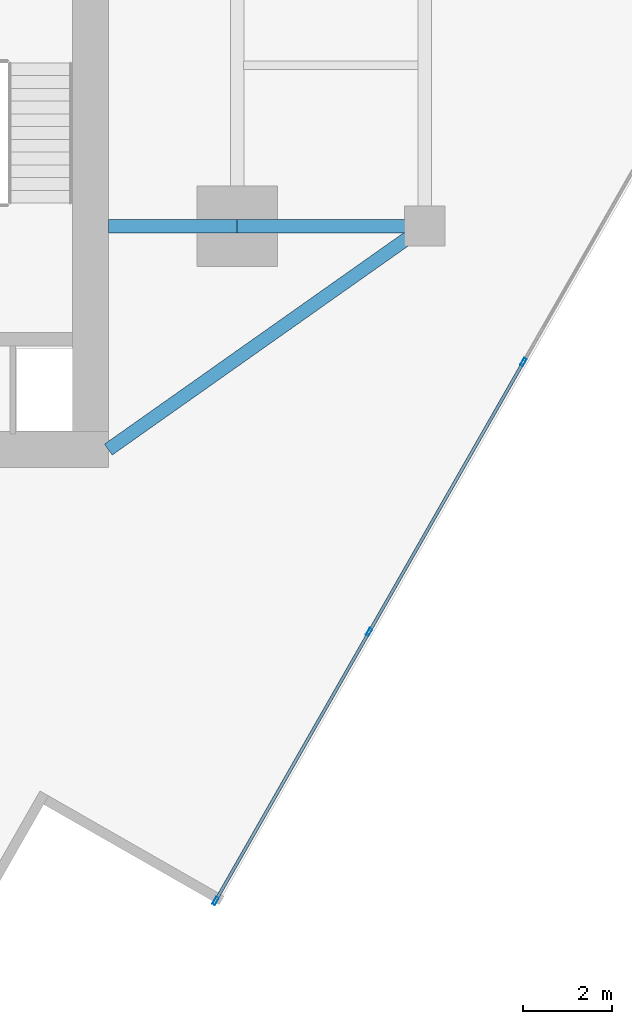
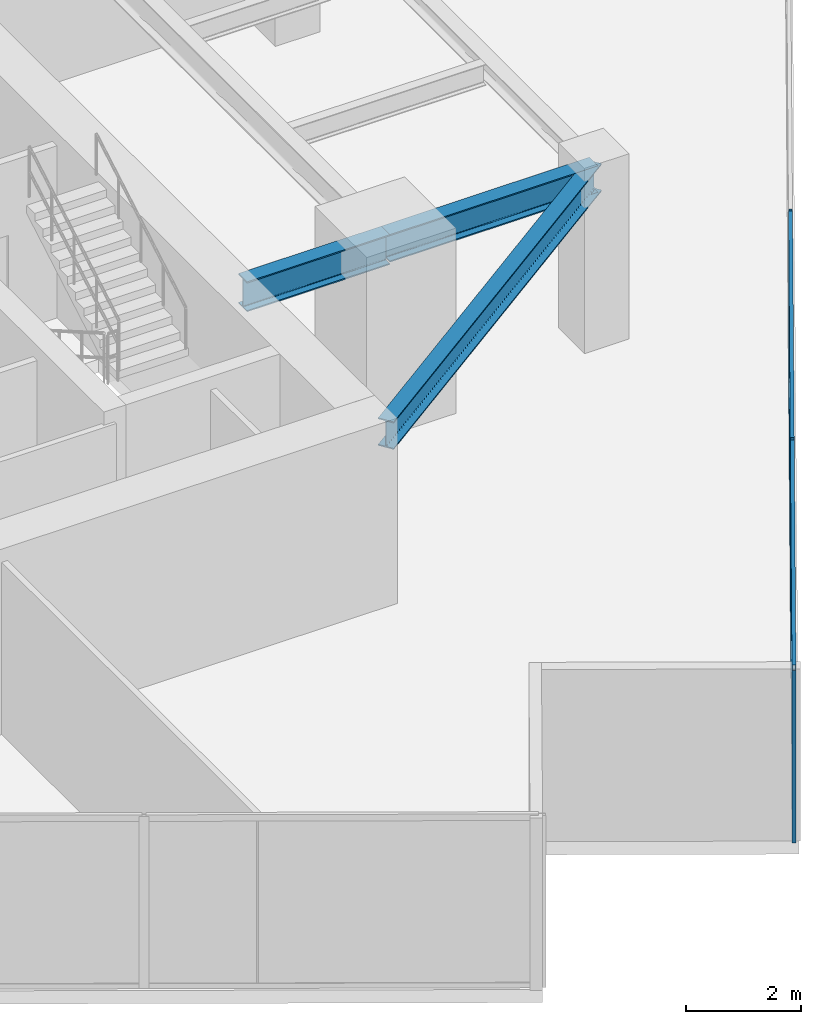
# One storey, part 9 of 24: 7 members, 3 beams, 1 element without a shape of its own.
"""IFC4 building model written with IfcOpenShell, lengths in metres."""

from ifc_helpers import new_model, si_unit, direction, frame, origin, origin_2d, place, context, subcontext, project, spatial, hollow_rectangle, i_section, extrude, source, transform, mapped, material, material_profile, profile_set, type_object, type_shapes, element, aggregate, save


model = new_model("IFC4")

# Units and contexts
model_context = context("Model", 3, precision=1e-05, world=origin(), true_north=direction((0.0, 1.0)))
body_context = subcontext(model_context, "Body", "Model", "MODEL_VIEW")
ifc_project = project(units=[si_unit("LENGTHUNIT", "METRE"), si_unit("AREAUNIT", "SQUARE_METRE"), si_unit("VOLUMEUNIT", "CUBIC_METRE"), si_unit("PLANEANGLEUNIT", "RADIAN"), si_unit("MASSUNIT", "GRAM", prefix="KILO")], contexts=[model_context])

# Site, building, storey
site_placement = place(None, origin())
site = spatial("IfcSite", under=ifc_project, at=site_placement, CompositionType="ELEMENT")
building_placement = place(site_placement, origin())
building = spatial("IfcBuilding", under=site, at=building_placement, Name="Krantzveldt Concourse Tower", CompositionType="ELEMENT")
storey_placement = place(building_placement, frame((0.0, 0.0, 162.0)))
storey = spatial("IfcBuildingStorey", under=building, at=storey_placement, Name="L39", CompositionType="ELEMENT", Elevation=162.0)

# Beams
ifc_material_1 = material(Name="Steel S355JR", Category="steel")
ifc_material_profile_1 = material_profile(ifc_material_1, i_section(OverallWidth=0.300048828125, OverallDepth=0.590087890625, WebThickness=0.012939453125, FlangeThickness=0.02490234375, FilletRadius=0.027099609375, at=origin_2d()), Name="Steel S355JR", Category="steel")
ifc_profile_set_1 = profile_set([ifc_material_profile_1], Name="Steel S355JR - HEA 600")
beam_type_1 = type_object("IfcBeamType", Name="BM-B-HEA600", PredefinedType="BEAM", material=ifc_profile_set_1)
shared_shape_1 = source(origin(), body_context, "Body", "SweptSolid", [
    extrude(i_section(OverallWidth=0.300048828125, OverallDepth=0.590087890625, WebThickness=0.012939453125, FlangeThickness=0.02490234375, FilletRadius=0.027099609375, at=origin_2d()), origin(), (0.0, 0.0, 1.0), 4.199951171875),
])
beam_1_placement = place(storey_placement, frame((46.800048828125, 15.89990234375, 3.375), z_axis=(1.0, 0.0, 0.0), x_axis=(0.0, 1.0, 0.0)))
element("IfcBeam", 1, at=beam_1_placement, inside=storey, type_object=beam_type_1, Name="L39 Tower Girder BR-RR1", PredefinedType="BEAM", context=body_context, shape_type="MappedRepresentation", body=[
    mapped(shared_shape_1, transform((0.0, 0.0, 0.0), x_axis=(1.0, 0.0, 0.0), y_axis=(0.0, 1.0, 0.0), z_axis=(0.0, 0.0, 1.0), scale=1.0)),
])
shared_shape_2 = source(origin(), body_context, "Body", "SweptSolid", [
    extrude(i_section(OverallWidth=0.300048828125, OverallDepth=0.590087890625, WebThickness=0.012939453125, FlangeThickness=0.02490234375, FilletRadius=0.027099609375, at=origin_2d()), origin(), (0.0, 0.0, 1.0), 8.667724609375),
])
type_shapes(beam_type_1, [shared_shape_1, shared_shape_2])
beam_2_placement = place(storey_placement, frame((51.0, 15.89990234375, 3.375), z_axis=(-0.81684294656, -0.576860122261, 0.0), x_axis=(0.576860122261, -0.81684294656, 0.0)))
element("IfcBeam", 2, at=beam_2_placement, inside=storey, type_object=beam_type_1, Name="L39 Tower Girder BR-CSE", PredefinedType="BEAM", context=body_context, shape_type="MappedRepresentation", body=[
    mapped(shared_shape_2, transform((0.0, 0.0, 0.0), x_axis=(1.0, 0.0, 0.0), y_axis=(0.0, 1.0, 0.0), z_axis=(0.0, 0.0, 1.0), scale=1.0)),
])
ifc_material_profile_2 = material_profile(ifc_material_1, i_section(OverallWidth=0.300048828125, OverallDepth=0.639892578125, WebThickness=0.013427734375, FlangeThickness=0.02587890625, FilletRadius=0.027099609375, at=origin_2d()), Name="Steel S355JR", Category="steel")
ifc_profile_set_2 = profile_set([ifc_material_profile_2], Name="Steel S355JR - HEA 650")
beam_type_2 = type_object("IfcBeamType", Name="BM-B-HEA650", PredefinedType="BEAM", material=ifc_profile_set_2)
shared_shape_3 = source(origin(), body_context, "Body", "SweptSolid", [
    extrude(i_section(OverallWidth=0.300048828125, OverallDepth=0.639892578125, WebThickness=0.013427734375, FlangeThickness=0.02587890625, FilletRadius=0.027099609375, at=origin_2d()), origin(), (0.0, 0.0, 1.0), 2.880126953125),
])
type_shapes(beam_type_2, [shared_shape_3])
beam_3_placement = place(storey_placement, frame((43.919921875, 15.89990234375, 3.35009765625), z_axis=(1.0, 0.0, 0.0), x_axis=(0.0, 1.0, 0.0)))
element("IfcBeam", 3, at=beam_3_placement, inside=storey, type_object=beam_type_2, Name="L39 Tower Girder BG-CE1", PredefinedType="BEAM", context=body_context, shape_type="MappedRepresentation", body=[
    mapped(shared_shape_3, transform((0.0, 0.0, 0.0), x_axis=(1.0, 0.0, 0.0), y_axis=(0.0, 1.0, 0.0), z_axis=(0.0, 0.0, 1.0), scale=1.0)),
])

# Curtain wall, members
ifc_material_2 = material(Name="Anodised aluminium 6063-T6", Category="aluminium")
curtain_wall_type = type_object("IfcCurtainWallType", Name="CW3", PredefinedType="USERDEFINED", material=ifc_material_2)
curtain_wall_placement = place(storey_placement, origin())
curtain_wall = element("IfcCurtainWall", 4, at=curtain_wall_placement, inside=storey, type_object=curtain_wall_type, Name="CW-L39-F11", ObjectType="UNITISED CURTAIN WALL", PredefinedType="USERDEFINED")
ifc_material_profile_3 = material_profile(ifc_material_2, hollow_rectangle(XDim=0.070068359375, YDim=0.179931640625, WallThickness=0.0048828125, at=origin_2d()), Name="Anodised aluminium 6063-T6", Category="aluminium")
ifc_profile_set_3 = profile_set([ifc_material_profile_3], Name="Anodised aluminium 6063-T6 - ALU-MULL 180x70x5")
member_type_1 = type_object("IfcMemberType", Name="CW-MUL-180", PredefinedType="MULLION", material=ifc_profile_set_3)
shared_shape_4 = source(origin(), body_context, "Body", "SweptSolid", [
    extrude(hollow_rectangle(XDim=0.070068359375, YDim=0.179931640625, WallThickness=0.0048828125, at=origin_2d()), origin(), (0.0, 0.0, 1.0), 3.669921875),
])
type_shapes(member_type_1, [shared_shape_4])
member_1_placement = place(storey_placement, frame((46.318603515625, 0.80126953125, 0.0), z_axis=(0.0, 0.0, 1.0), x_axis=(-0.868198876949, 0.496216394392, 0.0)))
member_1 = element("IfcMember", 5, at=member_1_placement, type_object=member_type_1, Name="CW-Z34 mullion 1", PredefinedType="MULLION", context=body_context, shape_type="MappedRepresentation", body=[
    mapped(shared_shape_4, transform((0.0, 0.0, 0.0), x_axis=(1.0, 0.0, 0.0), y_axis=(0.0, 1.0, 0.0), z_axis=(0.0, 0.0, 1.0), scale=1.0)),
])
member_2_placement = place(storey_placement, frame((49.7548828125, 6.8134765625, 0.0), z_axis=(0.0, 0.0, 1.0), x_axis=(-0.868198876949, 0.496216394392, 0.0)))
member_2 = element("IfcMember", 6, at=member_2_placement, type_object=member_type_1, Name="CW-Z34 mullion 2", PredefinedType="MULLION", context=body_context, shape_type="MappedRepresentation", body=[
    mapped(shared_shape_4, transform((0.0, 0.0, 0.0), x_axis=(1.0, 0.0, 0.0), y_axis=(0.0, 1.0, 0.0), z_axis=(0.0, 0.0, 1.0), scale=1.0)),
])
member_3_placement = place(storey_placement, frame((53.20849609375, 12.856201171875, 0.0), z_axis=(0.0, 0.0, 1.0), x_axis=(-0.868198876949, 0.496216394392, 0.0)))
member_3 = element("IfcMember", 7, at=member_3_placement, type_object=member_type_1, Name="CW-Z34 mullion 3", PredefinedType="MULLION", context=body_context, shape_type="MappedRepresentation", body=[
    mapped(shared_shape_4, transform((0.0, 0.0, 0.0), x_axis=(1.0, 0.0, 0.0), y_axis=(0.0, 1.0, 0.0), z_axis=(0.0, 0.0, 1.0), scale=1.0)),
])
ifc_material_profile_4 = material_profile(ifc_material_2, hollow_rectangle(XDim=0.070068359375, YDim=0.139892578125, WallThickness=0.0048828125, at=origin_2d()), Name="Anodised aluminium 6063-T6", Category="aluminium")
ifc_profile_set_4 = profile_set([ifc_material_profile_4], Name="Anodised aluminium 6063-T6 - ALU-TRAN 140x70x5")
member_type_2 = type_object("IfcMemberType", Name="CW-TRN-150", PredefinedType="USERDEFINED", material=ifc_profile_set_4)
shared_shape_5 = source(origin(), body_context, "Body", "SweptSolid", [
    extrude(hollow_rectangle(XDim=0.070068359375, YDim=0.139892578125, WallThickness=0.0048828125, at=origin_2d()), origin(), (0.0, 0.0, 1.0), 6.889892578125),
])
member_4_placement = place(storey_placement, frame((49.772216796875, 6.843994140625, 0.034912109375), z_axis=(0.496230521218, 0.868190802653, 0.0), x_axis=(-0.868190802653, 0.496230521218, 0.0)))
member_4 = element("IfcMember", 8, at=member_4_placement, type_object=member_type_2, Name="CW-Z34 transom 2.1", ObjectType="TRANSOM", PredefinedType="USERDEFINED", context=body_context, shape_type="MappedRepresentation", body=[
    mapped(shared_shape_5, transform((0.0, 0.0, 0.0), x_axis=(1.0, 0.0, 0.0), y_axis=(0.0, 1.0, 0.0), z_axis=(0.0, 0.0, 1.0), scale=1.0)),
])
member_5_placement = place(storey_placement, frame((49.772216796875, 6.843994140625, 3.635009765625), z_axis=(0.496230521218, 0.868190802653, 0.0), x_axis=(-0.868190802653, 0.496230521218, 0.0)))
member_5 = element("IfcMember", 9, at=member_5_placement, type_object=member_type_2, Name="CW-Z34 transom 2.2", ObjectType="TRANSOM", PredefinedType="USERDEFINED", context=body_context, shape_type="MappedRepresentation", body=[
    mapped(shared_shape_5, transform((0.0, 0.0, 0.0), x_axis=(1.0, 0.0, 0.0), y_axis=(0.0, 1.0, 0.0), z_axis=(0.0, 0.0, 1.0), scale=1.0)),
])
shared_shape_6 = source(origin(), body_context, "Body", "SweptSolid", [
    extrude(hollow_rectangle(XDim=0.070068359375, YDim=0.139892578125, WallThickness=0.0048828125, at=origin_2d()), origin(), (0.0, 0.0, 1.0), 6.855224609375),
])
type_shapes(member_type_2, [shared_shape_5, shared_shape_6])
member_6_placement = place(storey_placement, frame((46.3359375, 0.83154296875, 0.034912109375), z_axis=(0.496211808618, 0.868201497918, 0.0), x_axis=(-0.868201497918, 0.496211808618, 0.0)))
member_6 = element("IfcMember", 10, at=member_6_placement, type_object=member_type_2, Name="CW-Z34 transom 1.1", ObjectType="TRANSOM", PredefinedType="USERDEFINED", context=body_context, shape_type="MappedRepresentation", body=[
    mapped(shared_shape_6, transform((0.0, 0.0, 0.0), x_axis=(1.0, 0.0, 0.0), y_axis=(0.0, 1.0, 0.0), z_axis=(0.0, 0.0, 1.0), scale=1.0)),
])
member_7_placement = place(storey_placement, frame((46.3359375, 0.83154296875, 3.635009765625), z_axis=(0.496211808618, 0.868201497918, 0.0), x_axis=(-0.868201497918, 0.496211808618, 0.0)))
member_7 = element("IfcMember", 11, at=member_7_placement, type_object=member_type_2, Name="CW-Z34 transom 1.2", ObjectType="TRANSOM", PredefinedType="USERDEFINED", context=body_context, shape_type="MappedRepresentation", body=[
    mapped(shared_shape_6, transform((0.0, 0.0, 0.0), x_axis=(1.0, 0.0, 0.0), y_axis=(0.0, 1.0, 0.0), z_axis=(0.0, 0.0, 1.0), scale=1.0)),
])
aggregate(curtain_wall, [member_1, member_2, member_3, member_6, member_7, member_4, member_5])

save(model, "model.ifc")
